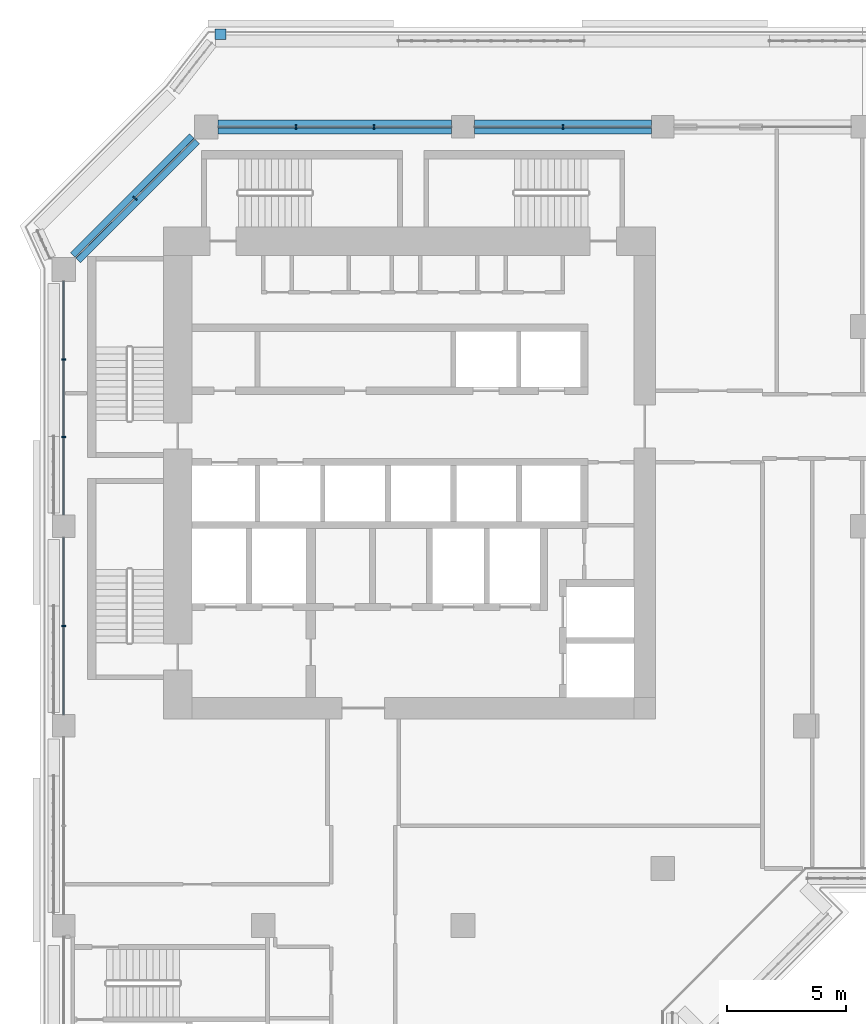
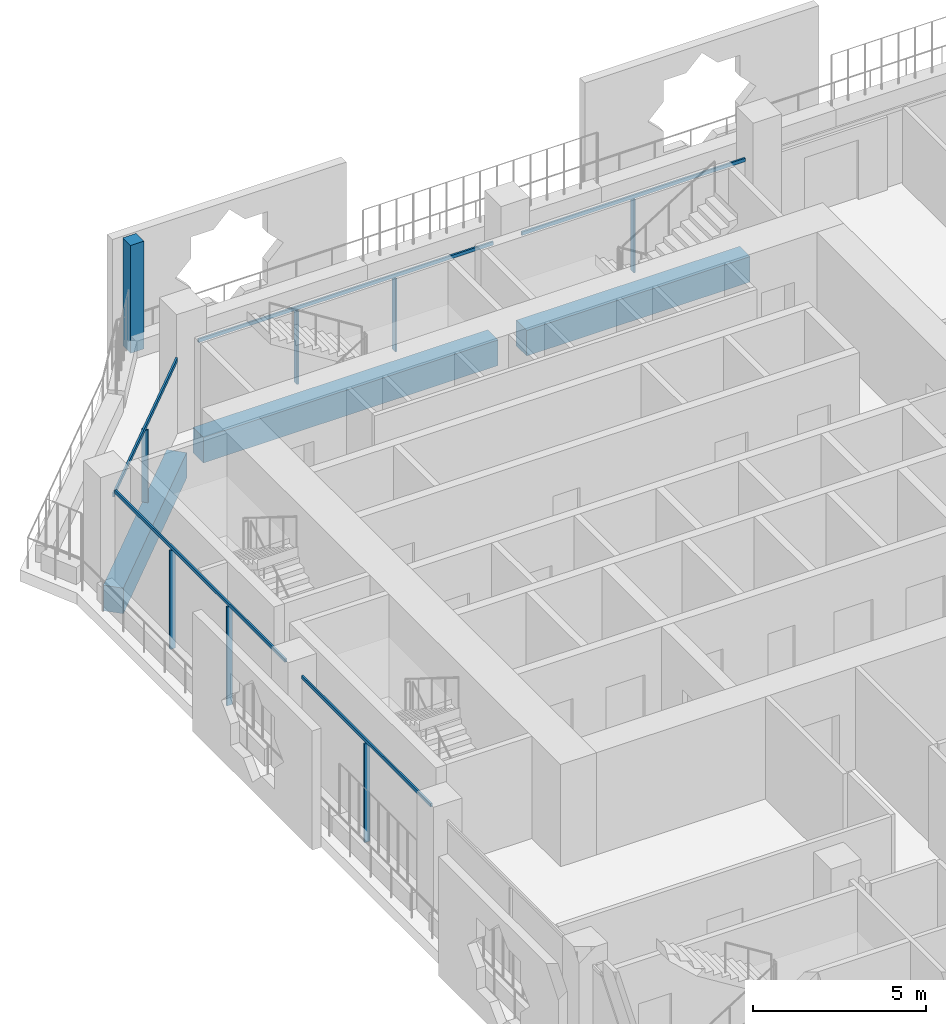
# One storey, part 5 of 23: 13 members, 3 beams, 4 elements without a shape of their own.
"""IFC4 building model written with IfcOpenShell, lengths in metres."""

import ifcopenshell
import ifcopenshell.guid

model = None  # the IFC model being written
_history = None  # IfcOwnerHistory: only IFC2X3 demands one
_inside = {}  # id of a spatial element -> (the spatial element, [elements in it])
_under = {}  # id of a project, library or spatial element -> (it, [spatial elements below it])
_declared = {}  # id of a project -> (the project, [libraries it declares])
_typed = {}  # id of a type object -> (the type object, [elements of that type])
_made_of = {}  # id of a material, layer set ... -> (it, [elements and type objects made of it])


def new_model(schema):
    """Start an empty IFC model of exactly this schema.

    Asked for "IFC4X3", IfcOpenShell would pick the latest addendum, in which some entities
    have other attributes; the version numbers below select the first issue.
    IFC2X3 requires an IfcOwnerHistory on every rooted entity: one is made here for all.
    """
    global model, _history
    if schema == "IFC4X3":
        model = ifcopenshell.file(schema_version=(4, 3, 0, 0))
    else:
        model = ifcopenshell.file(schema=schema)
    _inside.clear()
    _under.clear()
    _declared.clear()
    _typed.clear()
    _made_of.clear()
    _history = None
    if model.schema == "IFC2X3":
        org = make("IfcOrganization", Name="unknown")
        user = make(
            "IfcPersonAndOrganization",
            ThePerson=make("IfcPerson", FamilyName="unknown"),
            TheOrganization=org,
        )
        app = make(
            "IfcApplication",
            ApplicationDeveloper=org,
            Version="unknown",
            ApplicationFullName="unknown",
            ApplicationIdentifier="unknown",
        )
        _history = make(
            "IfcOwnerHistory",
            OwningUser=user,
            OwningApplication=app,
            ChangeAction="ADDED",
            CreationDate=0,
        )
    return model


def make(cls, **values):
    """One entity of the class cls with the attributes given. An attribute that is None is left unset."""
    return model.create_entity(
        cls, **{name: value for name, value in values.items() if value is not None}
    )


def rooted(cls, **values):
    """An entity with a GlobalId (a new one), such as an element, a storey or a relation."""
    return make(cls, GlobalId=ifcopenshell.guid.new(), OwnerHistory=_history, **values)


def si_unit(unit_type, name, prefix=None):
    """IfcSIUnit, for example si_unit("LENGTHUNIT", "METRE", prefix="MILLI")."""
    return make("IfcSIUnit", UnitType=unit_type, Prefix=prefix, Name=name)


def assignment(units):
    """IfcUnitAssignment: the units of a project."""
    return None if units is None else make("IfcUnitAssignment", Units=units)


def point(xyz):
    """IfcCartesianPoint."""
    return None if xyz is None else make("IfcCartesianPoint", Coordinates=xyz)


def direction(xyz):
    """IfcDirection."""
    return None if xyz is None else make("IfcDirection", DirectionRatios=xyz)


def frame(location, z_axis=None, x_axis=None):
    """IfcAxis2Placement3D, a coordinate frame: its origin and axes. An axis left out is left unset."""
    return make(
        "IfcAxis2Placement3D",
        Location=point(location),
        Axis=direction(z_axis),
        RefDirection=direction(x_axis),
    )


def frame_2d(location, x_axis=None):
    """IfcAxis2Placement2D, a coordinate frame in the plane: its origin and x axis."""
    return make(
        "IfcAxis2Placement2D", Location=point(location), RefDirection=direction(x_axis)
    )


def origin():
    """The frame at (0, 0, 0) with its axes left unset."""
    return frame((0.0, 0.0, 0.0))


def origin_2d():
    """The frame at (0, 0) in the plane with its x axis left unset."""
    return frame_2d((0.0, 0.0))


def place(relative_to, where):
    """IfcLocalPlacement: puts the frame where relative to a parent placement (None: the world)."""
    return make(
        "IfcLocalPlacement", PlacementRelTo=relative_to, RelativePlacement=where
    )


def context(
    kind, dimensions, precision=None, world=None, true_north=None, identifier=None
):
    """IfcGeometricRepresentationContext, for example the 3D "Model" context."""
    return make(
        "IfcGeometricRepresentationContext",
        ContextIdentifier=identifier,
        ContextType=kind,
        CoordinateSpaceDimension=dimensions,
        Precision=precision,
        WorldCoordinateSystem=world,
        TrueNorth=true_north,
    )


def subcontext(parent, identifier, kind, view, scale=None):
    """IfcGeometricRepresentationSubContext, for example "Body" below "Model"."""
    return make(
        "IfcGeometricRepresentationSubContext",
        ContextIdentifier=identifier,
        ContextType=kind,
        ParentContext=parent,
        TargetScale=scale,
        TargetView=view,
    )


def project(units=None, contexts=None):
    """IfcProject with its units and contexts."""
    return rooted(
        "IfcProject",
        Name="project",
        RepresentationContexts=contexts,
        UnitsInContext=assignment(units),
    )


def spatial(cls, under=None, at=None, **own):
    """A site, building, storey or space (cls), placed at a placement, below another one or the project."""
    s = rooted(cls, ObjectPlacement=at, **own)
    if under is not None:
        _under.setdefault(under.id(), (under, []))[1].append(s)
    return s


def profile(cls, at=None, kind="AREA", **sizes):
    """A parametric profile (cls). Its sizes go by their IFC names, for example OverallWidth=200.0."""
    return make(cls, ProfileType=kind, Position=at, **sizes)


def rectangle(**sizes):
    """IfcRectangleProfileDef."""
    return profile("IfcRectangleProfileDef", **sizes)


def extrude(swept, where, along, depth):
    """IfcExtrudedAreaSolid: the profile swept, set in the frame where, extruded along a direction by depth."""
    return make(
        "IfcExtrudedAreaSolid",
        SweptArea=swept,
        Position=where,
        ExtrudedDirection=direction(along),
        Depth=depth,
    )


def shape(context_of_items, identifier, shape_type, items):
    """IfcShapeRepresentation: the items that make up one representation, for example the "Body"."""
    return make(
        "IfcShapeRepresentation",
        ContextOfItems=context_of_items,
        RepresentationIdentifier=identifier,
        RepresentationType=shape_type,
        Items=items,
    )


def material(Name=None, Category=None):
    """IfcMaterial."""
    return make("IfcMaterial", Name=Name, Category=Category)


def layer(
    of_material, thickness, ventilated=None, Name=None, Category=None, Priority=None
):
    """IfcMaterialLayer: one layer of a wall or slab, of a material (None: an air gap)."""
    return make(
        "IfcMaterialLayer",
        Material=of_material,
        LayerThickness=thickness,
        IsVentilated=ventilated,
        Name=Name,
        Category=Category,
        Priority=Priority,
    )


def layer_set(layers, Name=None):
    """IfcMaterialLayerSet."""
    return make("IfcMaterialLayerSet", MaterialLayers=layers, LayerSetName=Name)


def material_profile(
    of_material, cross_section, Name=None, Category=None, Priority=None
):
    """IfcMaterialProfile: a cross section and its material."""
    return make(
        "IfcMaterialProfile",
        Name=Name,
        Material=of_material,
        Profile=cross_section,
        Priority=Priority,
        Category=Category,
    )


def profile_set(profiles, Name=None, composite=None):
    """IfcMaterialProfileSet."""
    return make(
        "IfcMaterialProfileSet",
        Name=Name,
        MaterialProfiles=profiles,
        CompositeProfile=composite,
    )


def made_of(thing, what):
    """Note that an element or type object is made of a material, layer set ...; save() writes the relation."""
    if what is not None:
        _made_of.setdefault(what.id(), (what, []))[1].append(thing)
    return thing


def type_object(cls, material=None, **own):
    """A type object (cls), such as IfcWallType, which elements share."""
    return made_of(rooted(cls, **own), material)


def element(
    cls,
    number,
    at=None,
    inside=None,
    cuts=None,
    type_object=None,
    material=None,
    context=None,
    identifier="Body",
    shape_type=None,
    held_by="IfcProductDefinitionShape",
    body=None,
    shapes=None,
    **own,
):
    """One element of the class cls, such as IfcWall. Its Tag is "e" and its number.

    at: its placement. inside: the storey or other place that contains it. cuts: it is an
    opening in that element (IfcRelVoidsElement). A single representation is given by context,
    identifier, shape_type and body (its items); several are given by shapes. held_by: the class
    of the entity that holds the representations. save() writes the other relations.
    """
    e = rooted(cls, Tag="e%d" % number, ObjectPlacement=at, **own)
    if body is not None:
        shapes = [shape(context, identifier, shape_type, body)]
    if shapes is not None:
        e.Representation = make(held_by, Representations=shapes)
    if inside is not None:
        _inside.setdefault(inside.id(), (inside, []))[1].append(e)
    if cuts is not None:
        rooted(
            "IfcRelVoidsElement", RelatingBuildingElement=cuts, RelatedOpeningElement=e
        )
    if type_object is not None:
        _typed.setdefault(type_object.id(), (type_object, []))[1].append(e)
    return made_of(e, material)


def aggregate(whole, parts):
    """IfcRelAggregates: a whole, such as a stair, and the parts it consists of."""
    return rooted("IfcRelAggregates", RelatingObject=whole, RelatedObjects=parts)


def save(model, path):
    """Write the relations noted so far, then the file.

    IfcRelAggregates (storeys below a building ...), IfcRelContainedInSpatialStructure (elements
    in a storey), IfcRelDefinesByType, IfcRelAssociatesMaterial and IfcRelDeclares: one each for
    every whole, place, type object, material and project.
    """
    for whole, parts in _under.values():
        aggregate(whole, parts)
    for where, things in _inside.values():
        rooted(
            "IfcRelContainedInSpatialStructure",
            RelatedElements=things,
            RelatingStructure=where,
        )
    for kind, things in _typed.values():
        rooted("IfcRelDefinesByType", RelatedObjects=things, RelatingType=kind)
    for what, things in _made_of.values():
        rooted("IfcRelAssociatesMaterial", RelatedObjects=things, RelatingMaterial=what)
    for by, libraries in _declared.values():
        rooted("IfcRelDeclares", RelatingContext=by, RelatedDefinitions=libraries)
    model.write(path)


model = new_model("IFC4")

# Units and contexts
model_context = context("Model", 3, precision=1e-05, world=origin(), true_north=direction((0.0, 1.0)))
body_context = subcontext(model_context, "Body", "Model", "MODEL_VIEW")
ifc_project = project(units=[si_unit("LENGTHUNIT", "METRE"), si_unit("AREAUNIT", "SQUARE_METRE"), si_unit("VOLUMEUNIT", "CUBIC_METRE"), si_unit("PLANEANGLEUNIT", "RADIAN"), si_unit("MASSUNIT", "GRAM", prefix="KILO")], contexts=[model_context])

# Site, building, storey
site_placement = place(None, origin())
site = spatial("IfcSite", under=ifc_project, at=site_placement, CompositionType="ELEMENT")
building_placement = place(site_placement, origin())
building = spatial("IfcBuilding", under=site, at=building_placement, Name="Kawkab Arch Medical Tower", CompositionType="ELEMENT")
storey_placement = place(building_placement, frame((0.0, 0.0, 175.199951171875)))
storey = spatial("IfcBuildingStorey", under=building, at=storey_placement, Name="L40", CompositionType="ELEMENT", Elevation=175.199951171875)

# Curtain wall, members
ifc_material_1 = material(Name="Bronze anodised aluminium curtain wall frame", Category="aluminium")
ifc_layer_1 = layer(ifc_material_1, 0.159912109375)
ifc_layer_set_1 = layer_set([ifc_layer_1], Name="Bronze anodised aluminium curtain wall frame")
curtain_wall_type_1 = type_object("IfcCurtainWallType", Name="CW1 ward curtain wall", PredefinedType="NOTDEFINED", material=ifc_layer_set_1)
placement = place(storey_placement, origin())
curtain_wall_1 = element("IfcCurtainWall", 1, at=placement, inside=storey, type_object=curtain_wall_type_1, Name="CW1 Ward curtain wall R01", PredefinedType="NOTDEFINED")
ifc_material_2 = material(Name="Bronze anodised aluminium curtain wall frame", Category="aluminium")
ifc_material_profile_1 = material_profile(ifc_material_2, rectangle(XDim=0.179931640625, YDim=0.06005859375, at=origin_2d()), Name="AL 60x180")
ifc_profile_set_1 = profile_set([ifc_material_profile_1], Name="Bronze anodised aluminium curtain wall frame")
member_type_1 = type_object("IfcMemberType", Name="CW1 mullion 60 x 180", PredefinedType="MULLION", material=ifc_profile_set_1)
member_1_placement = place(storey_placement, frame((0.0, -9.77490234375, 0.0), z_axis=(0.0, 0.0, 1.0), x_axis=(1.0, 0.0, 0.0)))
member_1 = element("IfcMember", 2, at=member_1_placement, type_object=member_type_1, Name="CW1 mullion 1.1", PredefinedType="MULLION", context=body_context, shape_type="SweptSolid", body=[
    extrude(rectangle(XDim=0.179931640625, YDim=0.06005859375, at=origin_2d()), origin(), (0.0, 0.0, 1.0), 3.47998046875),
])
member_2_placement = place(storey_placement, frame((0.0, -13.050048828125, 0.0), z_axis=(0.0, 0.0, 1.0), x_axis=(1.0, 0.0, 0.0)))
member_2 = element("IfcMember", 3, at=member_2_placement, type_object=member_type_1, Name="CW1 mullion 1.2", PredefinedType="MULLION", context=body_context, shape_type="SweptSolid", body=[
    extrude(rectangle(XDim=0.179931640625, YDim=0.06005859375, at=origin_2d()), origin(), (0.0, 0.0, 1.0), 3.47998046875),
])
member_3_placement = place(storey_placement, frame((0.0, -21.0, 0.0), z_axis=(0.0, 0.0, 1.0), x_axis=(1.0, 0.0, 0.0)))
member_3 = element("IfcMember", 4, at=member_3_placement, type_object=member_type_1, Name="CW1 mullion 2.1", PredefinedType="MULLION", context=body_context, shape_type="SweptSolid", body=[
    extrude(rectangle(XDim=0.179931640625, YDim=0.06005859375, at=origin_2d()), origin(), (0.0, 0.0, 1.0), 3.47998046875),
])

curtain_wall_2 = element("IfcCurtainWall", 5, at=placement, inside=storey, type_object=curtain_wall_type_1, Name="CW1 Ward curtain wall R11", PredefinedType="NOTDEFINED")
member_4_placement = place(storey_placement, frame((21.0, 0.0, 0.0), z_axis=(0.0, 0.0, 1.0), x_axis=(0.0, -1.0, 0.0)))
member_4 = element("IfcMember", 6, at=member_4_placement, type_object=member_type_1, Name="CW1 mullion 5.1", PredefinedType="MULLION", context=body_context, shape_type="SweptSolid", body=[
    extrude(rectangle(XDim=0.179931640625, YDim=0.06005859375, at=origin_2d()), origin(), (0.0, 0.0, 1.0), 2.580078125),
])
member_5_placement = place(storey_placement, frame((13.050048828125, 0.0, 0.0), z_axis=(0.0, 0.0, 1.0), x_axis=(0.0, -1.0, 0.0)))
member_5 = element("IfcMember", 7, at=member_5_placement, type_object=member_type_1, Name="CW1 mullion 6.1", PredefinedType="MULLION", context=body_context, shape_type="SweptSolid", body=[
    extrude(rectangle(XDim=0.179931640625, YDim=0.06005859375, at=origin_2d()), origin(), (0.0, 0.0, 1.0), 2.580078125),
])
member_6_placement = place(storey_placement, frame((9.77490234375, 0.0, 0.0), z_axis=(0.0, 0.0, 1.0), x_axis=(0.0, -1.0, 0.0)))
member_6 = element("IfcMember", 8, at=member_6_placement, type_object=member_type_1, Name="CW1 mullion 6.2", PredefinedType="MULLION", context=body_context, shape_type="SweptSolid", body=[
    extrude(rectangle(XDim=0.179931640625, YDim=0.06005859375, at=origin_2d()), origin(), (0.0, 0.0, 1.0), 2.580078125),
])

# Member
ifc_material_3 = material(Name="Bronze anodised aluminium curtain wall frame", Category="aluminium")
ifc_material_profile_2 = material_profile(ifc_material_3, rectangle(XDim=0.06005859375, YDim=0.1201171875, at=origin_2d()), Name="AL 60x120")
ifc_profile_set_2 = profile_set([ifc_material_profile_2], Name="Bronze anodised aluminium curtain wall frame")
member_type_2 = type_object("IfcMemberType", Name="CW1 transom 120 x 60", PredefinedType="USERDEFINED", material=ifc_profile_set_2)
member_7_placement = place(storey_placement, frame((0.0, -6.5, 3.5400390625), z_axis=(0.0, -1.0, 0.0), x_axis=(1.0, 0.0, 0.0)))
member_7 = element("IfcMember", 9, at=member_7_placement, type_object=member_type_2, Name="CW1 transom 1", ObjectType="TRANSOM", PredefinedType="USERDEFINED", context=body_context, shape_type="SweptSolid", body=[
    extrude(rectangle(XDim=0.06005859375, YDim=0.1201171875, at=origin_2d()), origin(), (0.0, 0.0, 1.0), 9.824951171875),
])

member_8_placement = place(storey_placement, frame((0.0, -17.27490234375, 3.5400390625), z_axis=(0.0, -1.0, 0.0), x_axis=(1.0, 0.0, 0.0)))
member_8 = element("IfcMember", 10, at=member_8_placement, type_object=member_type_2, Name="CW1 transom 2", ObjectType="TRANSOM", PredefinedType="USERDEFINED", context=body_context, shape_type="SweptSolid", body=[
    extrude(rectangle(XDim=0.06005859375, YDim=0.1201171875, at=origin_2d()), origin(), (0.0, 0.0, 1.0), 7.4501953125),
])

aggregate(curtain_wall_1, [member_7, member_1, member_2, member_8, member_3])

member_9_placement = place(storey_placement, frame((24.72509765625, 0.0, 2.64013671875), z_axis=(-1.0, 0.0, 0.0), x_axis=(0.0, -1.0, 0.0)))
member_9 = element("IfcMember", 11, at=member_9_placement, type_object=member_type_2, Name="CW1 transom 5", ObjectType="TRANSOM", PredefinedType="USERDEFINED", context=body_context, shape_type="SweptSolid", body=[
    extrude(rectangle(XDim=0.06005859375, YDim=0.1201171875, at=origin_2d()), origin(), (0.0, 0.0, 1.0), 7.4501953125),
])

member_10_placement = place(storey_placement, frame((16.324951171875, 0.0, 2.64013671875), z_axis=(-1.0, 0.0, 0.0), x_axis=(0.0, -1.0, 0.0)))
member_10 = element("IfcMember", 12, at=member_10_placement, type_object=member_type_2, Name="CW1 transom 6", ObjectType="TRANSOM", PredefinedType="USERDEFINED", context=body_context, shape_type="SweptSolid", body=[
    extrude(rectangle(XDim=0.06005859375, YDim=0.1201171875, at=origin_2d()), origin(), (0.0, 0.0, 1.0), 9.824951171875),
])

aggregate(curtain_wall_2, [member_9, member_4, member_10, member_5, member_6])

# Curtain wall, members
ifc_material_4 = material(Name="Bronze anodised aluminium curtain wall frame", Category="aluminium")
ifc_layer_2 = layer(ifc_material_4, 0.159912109375)
ifc_layer_set_2 = layer_set([ifc_layer_2], Name="Bronze anodised aluminium curtain wall frame")
curtain_wall_type_2 = type_object("IfcCurtainWallType", Name="CW2 chamfer curtain wall", PredefinedType="NOTDEFINED", material=ifc_layer_set_2)
curtain_wall_3 = element("IfcCurtainWall", 13, at=placement, inside=storey, type_object=curtain_wall_type_2, Name="CW2 Chamfer curtain wall R12", PredefinedType="NOTDEFINED")
ifc_material_5 = material(Name="Bronze anodised aluminium curtain wall frame", Category="aluminium")
ifc_material_profile_3 = material_profile(ifc_material_5, rectangle(XDim=0.199951171875, YDim=0.06005859375, at=origin_2d()), Name="AL 60x200")
ifc_profile_set_3 = profile_set([ifc_material_profile_3], Name="Bronze anodised aluminium curtain wall frame")
member_type_3 = type_object("IfcMemberType", Name="CW2 mullion 60 x 200", PredefinedType="MULLION", material=ifc_profile_set_3)
member_11_placement = place(storey_placement, frame((3.0, -3.0, 0.0), z_axis=(0.0, 0.0, 1.0), x_axis=(0.707106781187, -0.707106781187, 0.0)))
member_11 = element("IfcMember", 14, at=member_11_placement, type_object=member_type_3, Name="CW2 mullion 1.1", PredefinedType="MULLION", context=body_context, shape_type="SweptSolid", body=[
    extrude(rectangle(XDim=0.199951171875, YDim=0.06005859375, at=origin_2d()), origin(), (0.0, 0.0, 1.0), 2.56005859375),
])
ifc_material_6 = material(Name="Bronze anodised aluminium curtain wall frame", Category="aluminium")
ifc_material_profile_4 = material_profile(ifc_material_6, rectangle(XDim=0.06005859375, YDim=0.139892578125, at=origin_2d()), Name="AL 60x140")
ifc_profile_set_4 = profile_set([ifc_material_profile_4], Name="Bronze anodised aluminium curtain wall frame")
member_type_4 = type_object("IfcMemberType", Name="CW2 transom 140 x 60", PredefinedType="USERDEFINED", material=ifc_profile_set_4)
member_12_placement = place(storey_placement, frame((5.5, -0.5, 2.630126953125), z_axis=(-0.707106781187, -0.707106781187, 0.0), x_axis=(0.707106781187, -0.707106781187, 0.0)))
member_12 = element("IfcMember", 15, at=member_12_placement, type_object=member_type_4, Name="CW2 transom 1", ObjectType="TRANSOM", PredefinedType="USERDEFINED", context=body_context, shape_type="SweptSolid", body=[
    extrude(rectangle(XDim=0.06005859375, YDim=0.139892578125, at=origin_2d()), origin(), (0.0, 0.0, 1.0), 7.071044921875),
])
aggregate(curtain_wall_3, [member_12, member_11])

# Curtain wall, member
ifc_material_7 = material(Name="Bronze anodised aluminium climber frame, planted", Category="aluminium")
ifc_layer_3 = layer(ifc_material_7, 0.449951171875)
ifc_layer_set_3 = layer_set([ifc_layer_3], Name="Bronze anodised aluminium climber frame, planted")
curtain_wall_type_3 = type_object("IfcCurtainWallType", Name="Planted climber frame", PredefinedType="NOTDEFINED", material=ifc_layer_set_3)
curtain_wall_4 = element("IfcCurtainWall", 16, at=placement, inside=storey, type_object=curtain_wall_type_3, Name="Planted climber frame L40", PredefinedType="NOTDEFINED")
ifc_material_8 = material(Name="Bronze anodised aluminium climber frame, planted", Category="aluminium")
ifc_material_profile_5 = material_profile(ifc_material_8, rectangle(XDim=0.449951171875, YDim=0.449951171875, at=origin_2d()), Name="Post 450x450")
ifc_profile_set_5 = profile_set([ifc_material_profile_5], Name="Bronze anodised aluminium climber frame, planted")
member_type_5 = type_object("IfcMemberType", Name="Planted climber post 450 x 450", PredefinedType="MULLION", material=ifc_profile_set_5)
member_13_placement = place(storey_placement, frame((6.596923828125, 3.89990234375, 0.0), z_axis=(0.0, 0.0, 1.0), x_axis=(1.0, 0.0, 0.0)))
member_13 = element("IfcMember", 17, at=member_13_placement, type_object=member_type_5, Name="Planted climber post L40.LOG-01-01.1", PredefinedType="MULLION", context=body_context, shape_type="SweptSolid", body=[
    extrude(rectangle(XDim=0.449951171875, YDim=0.449951171875, at=origin_2d()), origin(), (0.0, 0.0, 1.0), 3.800048828125),
])
aggregate(curtain_wall_4, [member_13])

# Beams
ifc_material_9 = material(Name="Concrete C50/60", Category="concrete")
ifc_material_profile_6 = material_profile(ifc_material_9, rectangle(XDim=0.60009765625, YDim=0.89990234375, at=origin_2d()), Name="RC 600x900")
ifc_profile_set_6 = profile_set([ifc_material_profile_6], Name="Concrete C50/60")
beam_type = type_object("IfcBeamType", Name="RC 600x900 beam C50/60", PredefinedType="BEAM", material=ifc_profile_set_6)
beam_1_placement = place(storey_placement, frame((0.5, -5.5, -1.050048828125), z_axis=(0.707106781187, 0.707106781187, 0.0), x_axis=(-0.707106781187, 0.707106781187, 0.0)))
element("IfcBeam", 18, at=beam_1_placement, inside=storey, type_object=beam_type, Name="Overhang edge beam L40-01", PredefinedType="BEAM", context=body_context, shape_type="SweptSolid", body=[
    extrude(rectangle(XDim=0.60009765625, YDim=0.89990234375, at=origin_2d()), origin(), (0.0, 0.0, 1.0), 7.071044921875),
])
beam_2_placement = place(storey_placement, frame((6.5, 0.0, -1.050048828125), z_axis=(1.0, 0.0, 0.0), x_axis=(0.0, 1.0, 0.0)))
element("IfcBeam", 19, at=beam_2_placement, inside=storey, type_object=beam_type, Name="Overhang edge beam L40-02", PredefinedType="BEAM", context=body_context, shape_type="SweptSolid", body=[
    extrude(rectangle(XDim=0.60009765625, YDim=0.89990234375, at=origin_2d()), origin(), (0.0, 0.0, 1.0), 9.824951171875),
])
beam_3_placement = place(storey_placement, frame((17.27490234375, 0.0, -1.050048828125), z_axis=(1.0, 0.0, 0.0), x_axis=(0.0, 1.0, 0.0)))
element("IfcBeam", 20, at=beam_3_placement, inside=storey, type_object=beam_type, Name="Overhang edge beam L40-03", PredefinedType="BEAM", context=body_context, shape_type="SweptSolid", body=[
    extrude(rectangle(XDim=0.60009765625, YDim=0.89990234375, at=origin_2d()), origin(), (0.0, 0.0, 1.0), 7.4501953125),
])

save(model, "model.ifc")
